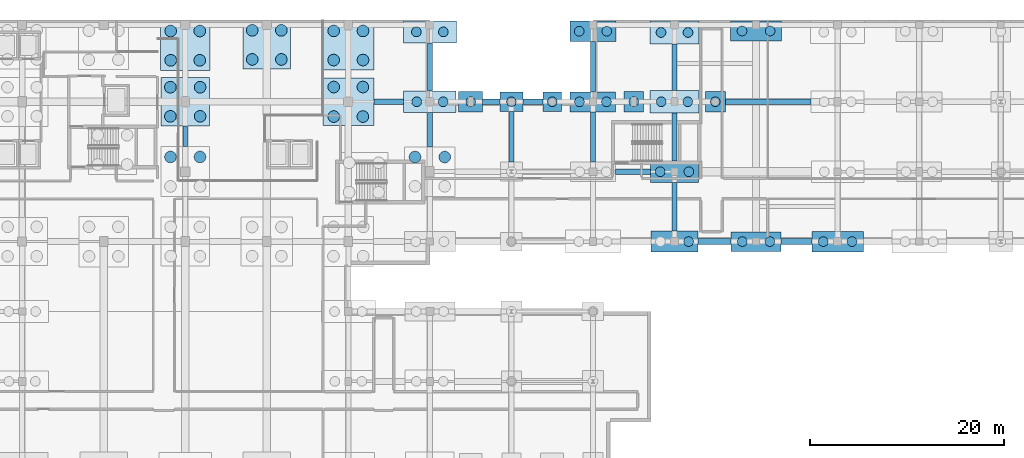
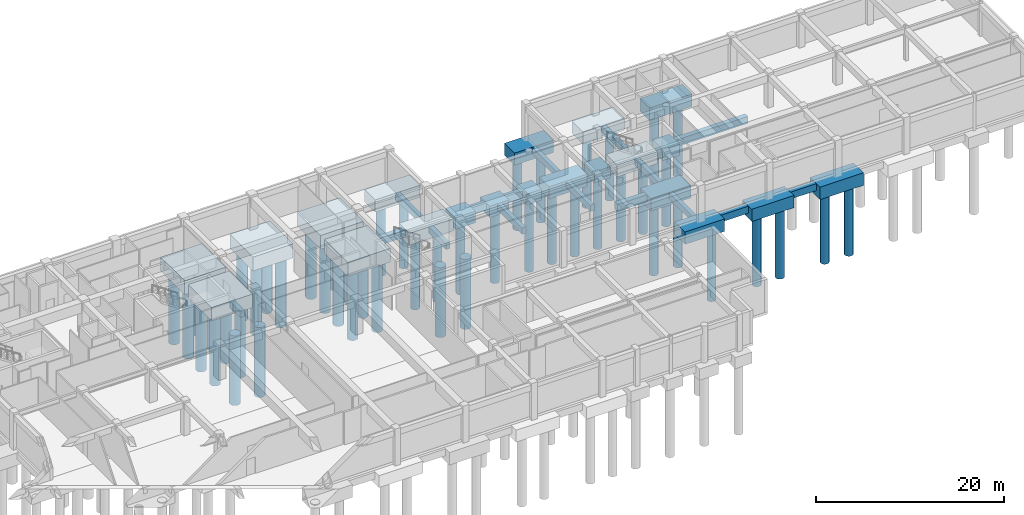
# One storey, part 7 of 42: 50 piles, 37 footings.
"""IFC4 building model written with IfcOpenShell, lengths in metres."""

from ifc_helpers import new_model, si_unit, direction, frame, origin, origin_2d, place, context, subcontext, project, spatial, rectangle, circle, extrude, material, material_profile, profile_set, type_object, element, save


model = new_model("IFC4")

# Units and contexts
model_context = context("Model", 3, precision=1e-05, world=origin(), true_north=direction((0.0, 1.0)))
body_context = subcontext(model_context, "Body", "Model", "MODEL_VIEW")
ifc_project = project(units=[si_unit("LENGTHUNIT", "METRE"), si_unit("AREAUNIT", "SQUARE_METRE"), si_unit("VOLUMEUNIT", "CUBIC_METRE"), si_unit("PLANEANGLEUNIT", "RADIAN"), si_unit("MASSUNIT", "GRAM", prefix="KILO")], contexts=[model_context])

# Site, building, storey
site_placement = place(None, origin())
site = spatial("IfcSite", under=ifc_project, at=site_placement, CompositionType="ELEMENT")
building_placement = place(site_placement, origin())
building = spatial("IfcBuilding", under=site, at=building_placement, Name="Quendrovan Civic Courthouse", CompositionType="ELEMENT")
storey_placement = place(building_placement, frame((0.0, 0.0, -4.5)))
storey = spatial("IfcBuildingStorey", under=building, at=storey_placement, Name="B1", CompositionType="ELEMENT", Elevation=-4.5)

# Footings
ifc_material = material(Name="Concrete C35/45", Category="concrete")
footing_type_1 = type_object("IfcFootingType", Name="FTG-PC1-190x202x140", PredefinedType="PILE_CAP", material=ifc_material)
footing_1_placement = place(storey_placement, frame((105.0, 102.0, -1.699951171875), z_axis=(0.0, 0.0, 1.0), x_axis=(1.0, 0.0, 0.0)))
element("IfcFooting", 1, at=footing_1_placement, inside=storey, type_object=footing_type_1, Name="Pile Cap PC1-01 at PIL-N4", PredefinedType="PILE_CAP", context=body_context, shape_type="SweptSolid", body=[
    extrude(rectangle(XDim=1.89990234375, YDim=2.02001953125, at=origin_2d()), origin(), (0.0, 0.0, 1.0), 1.39990234375),
])
footing_type_2 = type_object("IfcFootingType", Name="FTG-PC1-198x208x143", PredefinedType="PILE_CAP", material=ifc_material)
footing_2_placement = place(storey_placement, frame((113.39990234375, 102.0, -1.72998046875), z_axis=(0.0, 0.0, 1.0), x_axis=(1.0, 0.0, 0.0)))
element("IfcFooting", 2, at=footing_2_placement, inside=storey, type_object=footing_type_2, Name="Pile Cap PC1-02 at PIL-N5", PredefinedType="PILE_CAP", context=body_context, shape_type="SweptSolid", body=[
    extrude(rectangle(XDim=1.97998046875, YDim=2.080078125, at=origin_2d()), origin(), (0.0, 0.0, 1.0), 1.429931640625),
])
footing_type_3 = type_object("IfcFootingType", Name="FTG-PC1-206x214x146", PredefinedType="PILE_CAP", material=ifc_material)
footing_3_placement = place(storey_placement, frame((121.800048828125, 102.0, -1.760009765625), z_axis=(0.0, 0.0, 1.0), x_axis=(1.0, 0.0, 0.0)))
element("IfcFooting", 3, at=footing_3_placement, inside=storey, type_object=footing_type_3, Name="Pile Cap PC1-03 at PIL-N6", PredefinedType="PILE_CAP", context=body_context, shape_type="SweptSolid", body=[
    extrude(rectangle(XDim=2.06005859375, YDim=2.139892578125, at=origin_2d()), origin(), (0.0, 0.0, 1.0), 1.4599609375),
])
footing_type_4 = type_object("IfcFootingType", Name="FTG-PC1-238x202x146", PredefinedType="PILE_CAP", material=ifc_material)
footing_4_placement = place(storey_placement, frame((100.800048828125, 102.0, -1.760009765625), z_axis=(0.0, 0.0, 1.0), x_axis=(1.0, 0.0, 0.0)))
element("IfcFooting", 4, at=footing_4_placement, inside=storey, type_object=footing_type_4, Name="Pile Cap PC1-07 at 13-P", PredefinedType="PILE_CAP", context=body_context, shape_type="SweptSolid", body=[
    extrude(rectangle(XDim=2.3798828125, YDim=2.02001953125, at=origin_2d()), origin(), (0.0, 0.0, 1.0), 1.4599609375),
])
footing_type_5 = type_object("IfcFootingType", Name="FTG-PC1-246x208x149", PredefinedType="PILE_CAP", material=ifc_material)
footing_5_placement = place(storey_placement, frame((96.60009765625, 102.0, -1.7900390625), z_axis=(0.0, 0.0, 1.0), x_axis=(1.0, 0.0, 0.0)))
element("IfcFooting", 5, at=footing_5_placement, inside=storey, type_object=footing_type_5, Name="Pile Cap PC1-08 at PIL-N3", PredefinedType="PILE_CAP", context=body_context, shape_type="SweptSolid", body=[
    extrude(rectangle(XDim=2.4599609375, YDim=2.080078125, at=origin_2d()), origin(), (0.0, 0.0, 1.0), 1.489990234375),
])
footing_type_6 = type_object("IfcFootingType", Name="FTG-PC2-468x206x157", PredefinedType="PILE_CAP", material=ifc_material)
footing_6_placement = place(storey_placement, frame((109.199951171875, 102.0, -1.8701171875), z_axis=(0.0, 0.0, 1.0), x_axis=(1.0, 0.0, 0.0)))
element("IfcFooting", 6, at=footing_6_placement, inside=storey, type_object=footing_type_6, Name="Pile Cap PC2-02 at 14-P", PredefinedType="PILE_CAP", context=body_context, shape_type="SweptSolid", body=[
    extrude(rectangle(XDim=4.679931640625, YDim=2.06005859375, at=origin_2d()), origin(), (0.0, 0.0, 1.0), 1.570068359375),
])
footing_type_7 = type_object("IfcFootingType", Name="FTG-PC2-476x212x159", PredefinedType="PILE_CAP", material=ifc_material)
footing_7_placement = place(storey_placement, frame((109.199951171875, 109.260009765625, -1.89013671875), z_axis=(0.0, 0.0, 1.0), x_axis=(1.0, 0.0, 0.0)))
element("IfcFooting", 7, at=footing_7_placement, inside=storey, type_object=footing_type_7, Name="Pile Cap PC2-03 at 14-Q", PredefinedType="PILE_CAP", context=body_context, shape_type="SweptSolid", body=[
    extrude(rectangle(XDim=4.760009765625, YDim=2.1201171875, at=origin_2d()), origin(), (0.0, 0.0, 1.0), 1.590087890625),
])
footing_type_8 = type_object("IfcFootingType", Name="FTG-PC2-484x218x161", PredefinedType="PILE_CAP", material=ifc_material)
footing_8_placement = place(storey_placement, frame((117.60009765625, 87.60009765625, -1.91015625), z_axis=(0.0, 0.0, 1.0), x_axis=(1.0, 0.0, 0.0)))
element("IfcFooting", 8, at=footing_8_placement, inside=storey, type_object=footing_type_8, Name="Pile Cap PC2-04 at 15-M", PredefinedType="PILE_CAP", context=body_context, shape_type="SweptSolid", body=[
    extrude(rectangle(XDim=4.840087890625, YDim=2.179931640625, at=origin_2d()), origin(), (0.0, 0.0, 1.0), 1.610107421875),
])
footing_type_9 = type_object("IfcFootingType", Name="FTG-PC2-492x224x163", PredefinedType="PILE_CAP", material=ifc_material)
footing_9_placement = place(storey_placement, frame((117.60009765625, 94.800048828125, -1.929931640625), z_axis=(0.0, 0.0, 1.0), x_axis=(1.0, 0.0, 0.0)))
element("IfcFooting", 9, at=footing_9_placement, inside=storey, type_object=footing_type_9, Name="Pile Cap PC2-05 at 15-N", PredefinedType="PILE_CAP", context=body_context, shape_type="SweptSolid", body=[
    extrude(rectangle(XDim=4.919921875, YDim=2.239990234375, at=origin_2d()), origin(), (0.0, 0.0, 1.0), 1.6298828125),
])
footing_type_10 = type_object("IfcFootingType", Name="FTG-PC2-500x229x155", PredefinedType="PILE_CAP", material=ifc_material)
footing_10_placement = place(storey_placement, frame((117.60009765625, 102.0, -1.85009765625), z_axis=(0.0, 0.0, 1.0), x_axis=(1.0, 0.0, 0.0)))
element("IfcFooting", 10, at=footing_10_placement, inside=storey, type_object=footing_type_10, Name="Pile Cap PC2-06 at 15-P", PredefinedType="PILE_CAP", context=body_context, shape_type="SweptSolid", body=[
    extrude(rectangle(XDim=5.0, YDim=2.300048828125, at=origin_2d()), origin(), (0.0, 0.0, 1.0), 1.550048828125),
])
footing_type_11 = type_object("IfcFootingType", Name="FTG-PC2-508x236x157", PredefinedType="PILE_CAP", material=ifc_material)
footing_11_placement = place(storey_placement, frame((117.60009765625, 109.139892578125, -1.8701171875), z_axis=(0.0, 0.0, 1.0), x_axis=(1.0, 0.0, 0.0)))
element("IfcFooting", 11, at=footing_11_placement, inside=storey, type_object=footing_type_11, Name="Pile Cap PC2-07 at 15-Q", PredefinedType="PILE_CAP", context=body_context, shape_type="SweptSolid", body=[
    extrude(rectangle(XDim=5.080078125, YDim=2.360107421875, at=origin_2d()), origin(), (0.0, 0.0, 1.0), 1.570068359375),
])
footing_type_12 = type_object("IfcFootingType", Name="FTG-PC2-516x200x159", PredefinedType="PILE_CAP", material=ifc_material)
footing_12_placement = place(storey_placement, frame((126.0, 87.60009765625, -1.89013671875), z_axis=(0.0, 0.0, 1.0), x_axis=(1.0, 0.0, 0.0)))
element("IfcFooting", 12, at=footing_12_placement, inside=storey, type_object=footing_type_12, Name="Pile Cap PC2-08 at 16-M", PredefinedType="PILE_CAP", context=body_context, shape_type="SweptSolid", body=[
    extrude(rectangle(XDim=5.159912109375, YDim=2.0, at=origin_2d()), origin(), (0.0, 0.0, 1.0), 1.590087890625),
])
footing_type_13 = type_object("IfcFootingType", Name="FTG-PC2-524x206x161", PredefinedType="PILE_CAP", material=ifc_material)
footing_13_placement = place(storey_placement, frame((126.0, 109.2900390625, -1.91015625), z_axis=(0.0, 0.0, 1.0), x_axis=(1.0, 0.0, 0.0)))
element("IfcFooting", 13, at=footing_13_placement, inside=storey, type_object=footing_type_13, Name="Pile Cap PC2-09 at 16-Q", PredefinedType="PILE_CAP", context=body_context, shape_type="SweptSolid", body=[
    extrude(rectangle(XDim=5.239990234375, YDim=2.06005859375, at=origin_2d()), origin(), (0.0, 0.0, 1.0), 1.610107421875),
])
footing_type_14 = type_object("IfcFootingType", Name="FTG-PC2-532x212x163", PredefinedType="PILE_CAP", material=ifc_material)
footing_14_placement = place(storey_placement, frame((134.39990234375, 87.60009765625, -1.929931640625), z_axis=(0.0, 0.0, 1.0), x_axis=(1.0, 0.0, 0.0)))
element("IfcFooting", 14, at=footing_14_placement, inside=storey, type_object=footing_type_14, Name="Pile Cap PC2-10 at 17-M", PredefinedType="PILE_CAP", context=body_context, shape_type="SweptSolid", body=[
    extrude(rectangle(XDim=5.320068359375, YDim=2.1201171875, at=origin_2d()), origin(), (0.0, 0.0, 1.0), 1.6298828125),
])
footing_type_15 = type_object("IfcFootingType", Name="FTG-PC2-540x218x155", PredefinedType="PILE_CAP", material=ifc_material)
footing_15_placement = place(storey_placement, frame((92.39990234375, 102.0, -1.85009765625), z_axis=(0.0, 0.0, 1.0), x_axis=(1.0, 0.0, 0.0)))
element("IfcFooting", 15, at=footing_15_placement, inside=storey, type_object=footing_type_15, Name="Pile Cap PC2-11 at 12-P", PredefinedType="PILE_CAP", context=body_context, shape_type="SweptSolid", body=[
    extrude(rectangle(XDim=5.39990234375, YDim=2.179931640625, at=origin_2d()), origin(), (0.0, 0.0, 1.0), 1.550048828125),
])
footing_type_16 = type_object("IfcFootingType", Name="FTG-PC2-548x224x157", PredefinedType="PILE_CAP", material=ifc_material)
footing_16_placement = place(storey_placement, frame((92.39990234375, 109.199951171875, -1.8701171875), z_axis=(0.0, 0.0, 1.0), x_axis=(1.0, 0.0, 0.0)))
element("IfcFooting", 16, at=footing_16_placement, inside=storey, type_object=footing_type_16, Name="Pile Cap PC2-12 at 12-Q", PredefinedType="PILE_CAP", context=body_context, shape_type="SweptSolid", body=[
    extrude(rectangle(XDim=5.47998046875, YDim=2.239990234375, at=origin_2d()), origin(), (0.0, 0.0, 1.0), 1.570068359375),
])
footing_type_17 = type_object("IfcFootingType", Name="FTG-PC4-492x492x180", PredefinedType="PILE_CAP", material=ifc_material)
footing_17_placement = place(storey_placement, frame((75.60009765625, 107.860107421875, -2.10009765625), z_axis=(0.0, 0.0, 1.0), x_axis=(1.0, 0.0, 0.0)))
element("IfcFooting", 17, at=footing_17_placement, inside=storey, type_object=footing_type_17, Name="Pile Cap PC4-01 at 10-Q", PredefinedType="PILE_CAP", context=body_context, shape_type="SweptSolid", body=[
    extrude(rectangle(XDim=4.919921875, YDim=4.919921875, at=origin_2d()), origin(), (0.0, 0.0, 1.0), 1.800048828125),
])
footing_type_18 = type_object("IfcFootingType", Name="FTG-PC4-504x496x174", PredefinedType="PILE_CAP", material=ifc_material)
footing_18_placement = place(storey_placement, frame((67.199951171875, 102.0, -2.0400390625), z_axis=(0.0, 0.0, 1.0), x_axis=(1.0, 0.0, 0.0)))
element("IfcFooting", 18, at=footing_18_placement, inside=storey, type_object=footing_type_18, Name="Pile Cap PC4-04 at 9-P", PredefinedType="PILE_CAP", context=body_context, shape_type="SweptSolid", body=[
    extrude(rectangle(XDim=5.0400390625, YDim=4.9599609375, at=origin_2d()), origin(), (0.0, 0.0, 1.0), 1.739990234375),
])
footing_type_19 = type_object("IfcFootingType", Name="FTG-PC4-508x508x180", PredefinedType="PILE_CAP", material=ifc_material)
footing_19_placement = place(storey_placement, frame((67.199951171875, 107.780029296875, -2.10009765625), z_axis=(0.0, 0.0, 1.0), x_axis=(1.0, 0.0, 0.0)))
element("IfcFooting", 19, at=footing_19_placement, inside=storey, type_object=footing_type_19, Name="Pile Cap PC4-05 at 9-Q", PredefinedType="PILE_CAP", context=body_context, shape_type="SweptSolid", body=[
    extrude(rectangle(XDim=5.080078125, YDim=5.080078125, at=origin_2d()), origin(), (0.0, 0.0, 1.0), 1.800048828125),
])
footing_type_20 = type_object("IfcFootingType", Name="FTG-PC4-524x492x180", PredefinedType="PILE_CAP", material=ifc_material)
footing_20_placement = place(storey_placement, frame((84.0, 102.0, -2.10009765625), z_axis=(0.0, 0.0, 1.0), x_axis=(1.0, 0.0, 0.0)))
element("IfcFooting", 20, at=footing_20_placement, inside=storey, type_object=footing_type_20, Name="Pile Cap PC4-09 at 11-P", PredefinedType="PILE_CAP", context=body_context, shape_type="SweptSolid", body=[
    extrude(rectangle(XDim=5.239990234375, YDim=4.919921875, at=origin_2d()), origin(), (0.0, 0.0, 1.0), 1.800048828125),
])
footing_type_21 = type_object("IfcFootingType", Name="FTG-PC4-528x504x178", PredefinedType="PILE_CAP", material=ifc_material)
footing_21_placement = place(storey_placement, frame((84.0, 107.800048828125, -2.080078125), z_axis=(0.0, 0.0, 1.0), x_axis=(1.0, 0.0, 0.0)))
element("IfcFooting", 21, at=footing_21_placement, inside=storey, type_object=footing_type_21, Name="Pile Cap PC4-10 at 11-Q", PredefinedType="PILE_CAP", context=body_context, shape_type="SweptSolid", body=[
    extrude(rectangle(XDim=5.280029296875, YDim=5.0400390625, at=origin_2d()), origin(), (0.0, 0.0, 1.0), 1.780029296875),
])
footing_type_22 = type_object("IfcFootingType", Name="FTG-TBX-1800", PredefinedType="FOOTING_BEAM", material=ifc_material)
footing_22_placement = place(storey_placement, frame((98.719970703125, 102.0, -1.199951171875), z_axis=(0.0, 0.0, 1.0), x_axis=(1.0, 0.0, 0.0)))
element("IfcFooting", 22, at=footing_22_placement, inside=storey, type_object=footing_type_22, Name="Seismic Tie Beam TB-X-084", PredefinedType="FOOTING_BEAM", context=body_context, shape_type="SweptSolid", body=[
    extrude(rectangle(XDim=1.780029296875, YDim=0.60009765625, at=origin_2d()), origin(), (0.0, 0.0, 1.0), 0.89990234375),
])
footing_type_23 = type_object("IfcFootingType", Name="FTG-TBX-2000", PredefinedType="FOOTING_BEAM", material=ifc_material)
footing_23_placement = place(storey_placement, frame((103.02001953125, 102.0, -1.199951171875), z_axis=(0.0, 0.0, 1.0), x_axis=(1.0, 0.0, 0.0)))
element("IfcFooting", 23, at=footing_23_placement, inside=storey, type_object=footing_type_23, Name="Seismic Tie Beam TB-X-085", PredefinedType="FOOTING_BEAM", context=body_context, shape_type="SweptSolid", body=[
    extrude(rectangle(XDim=2.06005859375, YDim=0.60009765625, at=origin_2d()), origin(), (0.0, 0.0, 1.0), 0.89990234375),
])
footing_type_24 = type_object("IfcFootingType", Name="FTG-TBX-3000", PredefinedType="FOOTING_BEAM", material=ifc_material)
footing_24_placement = place(storey_placement, frame((88.159912109375, 102.0, -1.199951171875), z_axis=(0.0, 0.0, 1.0), x_axis=(1.0, 0.0, 0.0)))
element("IfcFooting", 24, at=footing_24_placement, inside=storey, type_object=footing_type_24, Name="Seismic Tie Beam TB-X-083", PredefinedType="FOOTING_BEAM", context=body_context, shape_type="SweptSolid", body=[
    extrude(rectangle(XDim=3.080078125, YDim=0.60009765625, at=origin_2d()), origin(), (0.0, 0.0, 1.0), 0.89990234375),
])
footing_type_25 = type_object("IfcFootingType", Name="FTG-TBX-3200", PredefinedType="FOOTING_BEAM", material=ifc_material)
footing_25_placement = place(storey_placement, frame((130.159912109375, 87.60009765625, -1.199951171875), z_axis=(0.0, 0.0, 1.0), x_axis=(1.0, 0.0, 0.0)))
element("IfcFooting", 25, at=footing_25_placement, inside=storey, type_object=footing_type_25, Name="Seismic Tie Beam TB-X-070", PredefinedType="FOOTING_BEAM", context=body_context, shape_type="SweptSolid", body=[
    extrude(rectangle(XDim=3.159912109375, YDim=0.60009765625, at=origin_2d()), origin(), (0.0, 0.0, 1.0), 0.89990234375),
])
footing_type_26 = type_object("IfcFootingType", Name="FTG-TBX-3400", PredefinedType="FOOTING_BEAM", material=ifc_material)
footing_26_placement = place(storey_placement, frame((121.719970703125, 87.60009765625, -1.199951171875), z_axis=(0.0, 0.0, 1.0), x_axis=(1.0, 0.0, 0.0)))
element("IfcFooting", 26, at=footing_26_placement, inside=storey, type_object=footing_type_26, Name="Seismic Tie Beam TB-X-069", PredefinedType="FOOTING_BEAM", context=body_context, shape_type="SweptSolid", body=[
    extrude(rectangle(XDim=3.39990234375, YDim=0.60009765625, at=origin_2d()), origin(), (0.0, 0.0, 1.0), 0.89990234375),
])
footing_type_27 = type_object("IfcFootingType", Name="FTG-TBX-3600", PredefinedType="FOOTING_BEAM", material=ifc_material)
footing_27_placement = place(storey_placement, frame((113.320068359375, 94.800048828125, -1.199951171875), z_axis=(0.0, 0.0, 1.0), x_axis=(1.0, 0.0, 0.0)))
element("IfcFooting", 27, at=footing_27_placement, inside=storey, type_object=footing_type_27, Name="Seismic Tie Beam TB-X-077", PredefinedType="FOOTING_BEAM", context=body_context, shape_type="SweptSolid", body=[
    extrude(rectangle(XDim=3.639892578125, YDim=0.60009765625, at=origin_2d()), origin(), (0.0, 0.0, 1.0), 0.89990234375),
])
footing_type_28 = type_object("IfcFootingType", Name="FTG-TBX-8800", PredefinedType="FOOTING_BEAM", material=ifc_material)
footing_28_placement = place(storey_placement, frame((127.2451171875, 102.0, -1.199951171875), z_axis=(0.0, 0.0, 1.0), x_axis=(1.0, 0.0, 0.0)))
element("IfcFooting", 28, at=footing_28_placement, inside=storey, type_object=footing_type_28, Name="Seismic Tie Beam TB-X-086", PredefinedType="FOOTING_BEAM", context=body_context, shape_type="SweptSolid", body=[
    extrude(rectangle(XDim=8.830078125, YDim=0.60009765625, at=origin_2d()), origin(), (0.0, 0.0, 1.0), 0.89990234375),
])
footing_type_29 = type_object("IfcFootingType", Name="FTG-TBY-2200", PredefinedType="FOOTING_BEAM", material=ifc_material)
footing_29_placement = place(storey_placement, frame((67.199951171875, 98.449951171875, -1.10009765625), z_axis=(0.0, 0.0, 1.0), x_axis=(1.0, 0.0, 0.0)))
element("IfcFooting", 29, at=footing_29_placement, inside=storey, type_object=footing_type_29, Name="Seismic Tie Beam TB-Y-136", PredefinedType="FOOTING_BEAM", context=body_context, shape_type="SweptSolid", body=[
    extrude(rectangle(XDim=0.5, YDim=2.139892578125, at=origin_2d()), origin(), (0.0, 0.0, 1.0), 0.800048828125),
])
footing_type_30 = type_object("IfcFootingType", Name="FTG-TBY-3600", PredefinedType="FOOTING_BEAM", material=ifc_material)
footing_30_placement = place(storey_placement, frame((92.39990234375, 99.135009765625, -1.10009765625), z_axis=(0.0, 0.0, 1.0), x_axis=(1.0, 0.0, 0.0)))
element("IfcFooting", 30, at=footing_30_placement, inside=storey, type_object=footing_type_30, Name="Seismic Tie Beam TB-Y-149", PredefinedType="FOOTING_BEAM", context=body_context, shape_type="SweptSolid", body=[
    extrude(rectangle(XDim=0.5, YDim=3.550048828125, at=origin_2d()), origin(), (0.0, 0.0, 1.0), 0.800048828125),
])
footing_type_31 = type_object("IfcFootingType", Name="FTG-TBY-4800", PredefinedType="FOOTING_BEAM", material=ifc_material)
footing_31_placement = place(storey_placement, frame((117.60009765625, 105.554931640625, -1.10009765625), z_axis=(0.0, 0.0, 1.0), x_axis=(1.0, 0.0, 0.0)))
element("IfcFooting", 31, at=footing_31_placement, inside=storey, type_object=footing_type_31, Name="Seismic Tie Beam TB-Y-166", PredefinedType="FOOTING_BEAM", context=body_context, shape_type="SweptSolid", body=[
    extrude(rectangle(XDim=0.5, YDim=4.81005859375, at=origin_2d()), origin(), (0.0, 0.0, 1.0), 0.800048828125),
])
footing_type_32 = type_object("IfcFootingType", Name="FTG-TBY-5000", PredefinedType="FOOTING_BEAM", material=ifc_material)
for number, where, z_axis, x_axis, name in (
    (32, (92.39990234375, 105.5849609375, -1.10009765625), (0.0, 0.0, 1.0), (1.0, 0.0, 0.0), "Seismic Tie Beam TB-Y-150"),
    (33, (117.60009765625, 91.18505859375, -1.10009765625), (0.0, 0.0, 1.0), (1.0, 0.0, 0.0), "Seismic Tie Beam TB-Y-164"),
):
    element("IfcFooting", number, at=place(storey_placement, frame(where, z_axis=z_axis, x_axis=x_axis)), inside=storey, type_object=footing_type_32, Name=name, PredefinedType="FOOTING_BEAM", context=body_context, shape_type="SweptSolid", body=[
        extrude(rectangle(XDim=0.5, YDim=4.989990234375, at=origin_2d()), origin(), (0.0, 0.0, 1.0), 0.800048828125),
    ])
footing_32_placement = place(storey_placement, frame((117.60009765625, 98.385009765625, -1.10009765625), z_axis=(0.0, 0.0, 1.0), x_axis=(1.0, 0.0, 0.0)))
element("IfcFooting", 34, at=footing_32_placement, inside=storey, type_object=footing_type_32, Name="Seismic Tie Beam TB-Y-165", PredefinedType="FOOTING_BEAM", context=body_context, shape_type="SweptSolid", body=[
    extrude(rectangle(XDim=0.5, YDim=4.929931640625, at=origin_2d()), origin(), (0.0, 0.0, 1.0), 0.800048828125),
])
footing_type_33 = type_object("IfcFootingType", Name="FTG-TBY-5200", PredefinedType="FOOTING_BEAM", material=ifc_material)
footing_33_placement = place(storey_placement, frame((100.800048828125, 98.385009765625, -1.10009765625), z_axis=(0.0, 0.0, 1.0), x_axis=(1.0, 0.0, 0.0)))
element("IfcFooting", 35, at=footing_33_placement, inside=storey, type_object=footing_type_33, Name="Seismic Tie Beam TB-Y-156", PredefinedType="FOOTING_BEAM", context=body_context, shape_type="SweptSolid", body=[
    extrude(rectangle(XDim=0.5, YDim=5.2099609375, at=origin_2d()), origin(), (0.0, 0.0, 1.0), 0.800048828125),
])
for number, where, z_axis, x_axis, name in (
    (36, (109.199951171875, 98.385009765625, -1.10009765625), (0.0, 0.0, 1.0), (1.0, 0.0, 0.0), "Seismic Tie Beam TB-Y-162"),
    (37, (109.199951171875, 105.614990234375, -1.10009765625), (0.0, 0.0, 1.0), (1.0, 0.0, 0.0), "Seismic Tie Beam TB-Y-163"),
):
    element("IfcFooting", number, at=place(storey_placement, frame(where, z_axis=z_axis, x_axis=x_axis)), inside=storey, type_object=footing_type_33, Name=name, PredefinedType="FOOTING_BEAM", context=body_context, shape_type="SweptSolid", body=[
        extrude(rectangle(XDim=0.5, YDim=5.169921875, at=origin_2d()), origin(), (0.0, 0.0, 1.0), 0.800048828125),
    ])

# Piles
ifc_material_profile_1 = material_profile(ifc_material, circle(Radius=0.5, at=origin_2d()), Name="PILE-D1000")
ifc_profile_set_1 = profile_set([ifc_material_profile_1], Name="Concrete C35/45")
pile_type_1 = type_object("IfcPileType", Name="PILE-B1000", PredefinedType="BORED", material=ifc_profile_set_1)
for number, where, z_axis, x_axis, name in (
    (38, (91.0400390625, 102.0, -1.75), (0.0, 0.0, -1.0), (1.0, 0.0, 0.0), "Bored Pile PILE-12-P-1"),
    (39, (93.760009765625, 102.0, -1.75), (0.0, 0.0, -1.0), (1.0, 0.0, 0.0), "Bored Pile PILE-12-P-2"),
):
    element("IfcPile", number, at=place(storey_placement, frame(where, z_axis=z_axis, x_axis=x_axis)), inside=storey, type_object=pile_type_1, Name=name, PredefinedType="BORED", context=body_context, shape_type="SweptSolid", body=[
        extrude(circle(Radius=0.5, at=origin_2d()), origin(), (0.0, 0.0, 1.0), 9.25),
    ])
for number, where, z_axis, x_axis, name in (
    (40, (91.010009765625, 109.199951171875, -1.77001953125), (0.0, 0.0, -1.0), (1.0, 0.0, 0.0), "Bored Pile PILE-12-Q-1"),
    (41, (93.7900390625, 109.199951171875, -1.77001953125), (0.0, 0.0, -1.0), (1.0, 0.0, 0.0), "Bored Pile PILE-12-Q-2"),
):
    element("IfcPile", number, at=place(storey_placement, frame(where, z_axis=z_axis, x_axis=x_axis)), inside=storey, type_object=pile_type_1, Name=name, PredefinedType="BORED", context=body_context, shape_type="SweptSolid", body=[
        extrude(circle(Radius=0.5, at=origin_2d()), origin(), (0.0, 0.0, 1.0), 9.22998046875),
    ])
pile_1_placement = place(storey_placement, frame((100.800048828125, 102.0, -1.659912109375), z_axis=(0.0, 0.0, -1.0), x_axis=(1.0, 0.0, 0.0)))
element("IfcPile", 42, at=pile_1_placement, inside=storey, type_object=pile_type_1, Name="Bored Pile PILE-13-P-1", PredefinedType="BORED", context=body_context, shape_type="SweptSolid", body=[
    extrude(circle(Radius=0.5, at=origin_2d()), origin(), (0.0, 0.0, 1.0), 9.340087890625),
])
for number, where, z_axis, x_axis, name in (
    (43, (107.81005859375, 102.0, -1.77001953125), (0.0, 0.0, -1.0), (1.0, 0.0, 0.0), "Bored Pile PILE-14-P-1"),
    (44, (110.590087890625, 102.0, -1.77001953125), (0.0, 0.0, -1.0), (1.0, 0.0, 0.0), "Bored Pile PILE-14-P-2"),
):
    element("IfcPile", number, at=place(storey_placement, frame(where, z_axis=z_axis, x_axis=x_axis)), inside=storey, type_object=pile_type_1, Name=name, PredefinedType="BORED", context=body_context, shape_type="SweptSolid", body=[
        extrude(circle(Radius=0.5, at=origin_2d()), origin(), (0.0, 0.0, 1.0), 9.22998046875),
    ])
for number, where, z_axis, x_axis, name in (
    (45, (107.780029296875, 109.260009765625, -1.7900390625), (0.0, 0.0, -1.0), (1.0, 0.0, 0.0), "Bored Pile PILE-14-Q-1"),
    (46, (110.6201171875, 109.260009765625, -1.7900390625), (0.0, 0.0, -1.0), (1.0, 0.0, 0.0), "Bored Pile PILE-14-Q-2"),
):
    element("IfcPile", number, at=place(storey_placement, frame(where, z_axis=z_axis, x_axis=x_axis)), inside=storey, type_object=pile_type_1, Name=name, PredefinedType="BORED", context=body_context, shape_type="SweptSolid", body=[
        extrude(circle(Radius=0.5, at=origin_2d()), origin(), (0.0, 0.0, 1.0), 9.2099609375),
    ])
pile_2_placement = place(storey_placement, frame((119.050048828125, 87.60009765625, -1.81005859375), z_axis=(0.0, 0.0, -1.0), x_axis=(1.0, 0.0, 0.0)))
element("IfcPile", 47, at=pile_2_placement, inside=storey, type_object=pile_type_1, Name="Bored Pile PILE-15-M-2", PredefinedType="BORED", context=body_context, shape_type="SweptSolid", body=[
    extrude(circle(Radius=0.5, at=origin_2d()), origin(), (0.0, 0.0, 1.0), 9.18994140625),
])
for number, where, z_axis, x_axis, name in (
    (48, (116.1201171875, 94.800048828125, -1.830078125), (0.0, 0.0, -1.0), (1.0, 0.0, 0.0), "Bored Pile PILE-15-N-1"),
    (49, (119.080078125, 94.800048828125, -1.830078125), (0.0, 0.0, -1.0), (1.0, 0.0, 0.0), "Bored Pile PILE-15-N-2"),
):
    element("IfcPile", number, at=place(storey_placement, frame(where, z_axis=z_axis, x_axis=x_axis)), inside=storey, type_object=pile_type_1, Name=name, PredefinedType="BORED", context=body_context, shape_type="SweptSolid", body=[
        extrude(circle(Radius=0.5, at=origin_2d()), origin(), (0.0, 0.0, 1.0), 9.169921875),
    ])
for number, where, z_axis, x_axis, name in (
    (50, (116.239990234375, 102.0, -1.75), (0.0, 0.0, -1.0), (1.0, 0.0, 0.0), "Bored Pile PILE-15-P-1"),
    (51, (118.9599609375, 102.0, -1.75), (0.0, 0.0, -1.0), (1.0, 0.0, 0.0), "Bored Pile PILE-15-P-2"),
):
    element("IfcPile", number, at=place(storey_placement, frame(where, z_axis=z_axis, x_axis=x_axis)), inside=storey, type_object=pile_type_1, Name=name, PredefinedType="BORED", context=body_context, shape_type="SweptSolid", body=[
        extrude(circle(Radius=0.5, at=origin_2d()), origin(), (0.0, 0.0, 1.0), 9.25),
    ])
for number, where, z_axis, x_axis, name in (
    (52, (116.2099609375, 109.139892578125, -1.77001953125), (0.0, 0.0, -1.0), (1.0, 0.0, 0.0), "Bored Pile PILE-15-Q-1"),
    (53, (118.989990234375, 109.139892578125, -1.77001953125), (0.0, 0.0, -1.0), (1.0, 0.0, 0.0), "Bored Pile PILE-15-Q-2"),
):
    element("IfcPile", number, at=place(storey_placement, frame(where, z_axis=z_axis, x_axis=x_axis)), inside=storey, type_object=pile_type_1, Name=name, PredefinedType="BORED", context=body_context, shape_type="SweptSolid", body=[
        extrude(circle(Radius=0.5, at=origin_2d()), origin(), (0.0, 0.0, 1.0), 9.22998046875),
    ])
for number, where, z_axis, x_axis, name in (
    (54, (124.580078125, 87.60009765625, -1.7900390625), (0.0, 0.0, -1.0), (1.0, 0.0, 0.0), "Bored Pile PILE-16-M-1"),
    (55, (127.419921875, 87.60009765625, -1.7900390625), (0.0, 0.0, -1.0), (1.0, 0.0, 0.0), "Bored Pile PILE-16-M-2"),
):
    element("IfcPile", number, at=place(storey_placement, frame(where, z_axis=z_axis, x_axis=x_axis)), inside=storey, type_object=pile_type_1, Name=name, PredefinedType="BORED", context=body_context, shape_type="SweptSolid", body=[
        extrude(circle(Radius=0.5, at=origin_2d()), origin(), (0.0, 0.0, 1.0), 9.2099609375),
    ])
for number, where, z_axis, x_axis, name in (
    (56, (124.550048828125, 109.2900390625, -1.81005859375), (0.0, 0.0, -1.0), (1.0, 0.0, 0.0), "Bored Pile PILE-16-Q-1"),
    (57, (127.449951171875, 109.2900390625, -1.81005859375), (0.0, 0.0, -1.0), (1.0, 0.0, 0.0), "Bored Pile PILE-16-Q-2"),
):
    element("IfcPile", number, at=place(storey_placement, frame(where, z_axis=z_axis, x_axis=x_axis)), inside=storey, type_object=pile_type_1, Name=name, PredefinedType="BORED", context=body_context, shape_type="SweptSolid", body=[
        extrude(circle(Radius=0.5, at=origin_2d()), origin(), (0.0, 0.0, 1.0), 9.18994140625),
    ])
for number, where, z_axis, x_axis, name in (
    (58, (132.919921875, 87.60009765625, -1.830078125), (0.0, 0.0, -1.0), (1.0, 0.0, 0.0), "Bored Pile PILE-17-M-1"),
    (59, (135.8798828125, 87.60009765625, -1.830078125), (0.0, 0.0, -1.0), (1.0, 0.0, 0.0), "Bored Pile PILE-17-M-2"),
):
    element("IfcPile", number, at=place(storey_placement, frame(where, z_axis=z_axis, x_axis=x_axis)), inside=storey, type_object=pile_type_1, Name=name, PredefinedType="BORED", context=body_context, shape_type="SweptSolid", body=[
        extrude(circle(Radius=0.5, at=origin_2d()), origin(), (0.0, 0.0, 1.0), 9.169921875),
    ])
pile_3_placement = place(storey_placement, frame((96.60009765625, 102.0, -1.68994140625), z_axis=(0.0, 0.0, -1.0), x_axis=(1.0, 0.0, 0.0)))
element("IfcPile", 60, at=pile_3_placement, inside=storey, type_object=pile_type_1, Name="Bored Pile PILE-PIL-N3-1", PredefinedType="BORED", context=body_context, shape_type="SweptSolid", body=[
    extrude(circle(Radius=0.5, at=origin_2d()), origin(), (0.0, 0.0, 1.0), 9.31005859375),
])
pile_4_placement = place(storey_placement, frame((105.0, 102.0, -1.60009765625), z_axis=(0.0, 0.0, -1.0), x_axis=(1.0, 0.0, 0.0)))
element("IfcPile", 61, at=pile_4_placement, inside=storey, type_object=pile_type_1, Name="Bored Pile PILE-PIL-N4-1", PredefinedType="BORED", context=body_context, shape_type="SweptSolid", body=[
    extrude(circle(Radius=0.5, at=origin_2d()), origin(), (0.0, 0.0, 1.0), 9.39990234375),
])
pile_5_placement = place(storey_placement, frame((113.39990234375, 102.0, -1.6298828125), z_axis=(0.0, 0.0, -1.0), x_axis=(1.0, 0.0, 0.0)))
element("IfcPile", 62, at=pile_5_placement, inside=storey, type_object=pile_type_1, Name="Bored Pile PILE-PIL-N5-1", PredefinedType="BORED", context=body_context, shape_type="SweptSolid", body=[
    extrude(circle(Radius=0.5, at=origin_2d()), origin(), (0.0, 0.0, 1.0), 9.3701171875),
])
pile_6_placement = place(storey_placement, frame((121.800048828125, 102.0, -1.659912109375), z_axis=(0.0, 0.0, -1.0), x_axis=(1.0, 0.0, 0.0)))
element("IfcPile", 63, at=pile_6_placement, inside=storey, type_object=pile_type_1, Name="Bored Pile PILE-PIL-N6-1", PredefinedType="BORED", context=body_context, shape_type="SweptSolid", body=[
    extrude(circle(Radius=0.5, at=origin_2d()), origin(), (0.0, 0.0, 1.0), 9.340087890625),
])
ifc_material_profile_2 = material_profile(ifc_material, circle(Radius=0.60009765625, at=origin_2d()), Name="PILE-D1200")
ifc_profile_set_2 = profile_set([ifc_material_profile_2], Name="Concrete C35/45")
pile_type_2 = type_object("IfcPileType", Name="PILE-B1200", PredefinedType="BORED", material=ifc_profile_set_2)
for number, where, z_axis, x_axis, name in (
    (64, (65.679931640625, 96.320068359375, -1.9599609375), (0.0, 0.0, -1.0), (1.0, 0.0, 0.0), "Bored Pile PILE-9-N-3"),
    (65, (68.719970703125, 96.320068359375, -1.9599609375), (0.0, 0.0, -1.0), (1.0, 0.0, 0.0), "Bored Pile PILE-9-N-4"),
):
    element("IfcPile", number, at=place(storey_placement, frame(where, z_axis=z_axis, x_axis=x_axis)), inside=storey, type_object=pile_type_2, Name=name, PredefinedType="BORED", context=body_context, shape_type="SweptSolid", body=[
        extrude(circle(Radius=0.60009765625, at=origin_2d()), origin(), (0.0, 0.0, 1.0), 9.0400390625),
    ])
for number, where, z_axis, x_axis, name in (
    (66, (65.669921875, 100.5, -1.93994140625), (0.0, 0.0, -1.0), (1.0, 0.0, 0.0), "Bored Pile PILE-9-P-1"),
    (67, (68.72998046875, 100.5, -1.93994140625), (0.0, 0.0, -1.0), (1.0, 0.0, 0.0), "Bored Pile PILE-9-P-2"),
    (68, (65.669921875, 103.5, -1.93994140625), (0.0, 0.0, -1.0), (1.0, 0.0, 0.0), "Bored Pile PILE-9-P-3"),
    (69, (68.72998046875, 103.5, -1.93994140625), (0.0, 0.0, -1.0), (1.0, 0.0, 0.0), "Bored Pile PILE-9-P-4"),
):
    element("IfcPile", number, at=place(storey_placement, frame(where, z_axis=z_axis, x_axis=x_axis)), inside=storey, type_object=pile_type_2, Name=name, PredefinedType="BORED", context=body_context, shape_type="SweptSolid", body=[
        extrude(circle(Radius=0.60009765625, at=origin_2d()), origin(), (0.0, 0.0, 1.0), 9.06005859375),
    ])
for number, where, z_axis, x_axis, name in (
    (70, (65.699951171875, 106.27001953125, -2.0), (0.0, 0.0, -1.0), (1.0, 0.0, 0.0), "Bored Pile PILE-9-Q-1"),
    (71, (68.699951171875, 106.27001953125, -2.0), (0.0, 0.0, -1.0), (1.0, 0.0, 0.0), "Bored Pile PILE-9-Q-2"),
    (72, (65.699951171875, 109.2900390625, -2.0), (0.0, 0.0, -1.0), (1.0, 0.0, 0.0), "Bored Pile PILE-9-Q-3"),
    (73, (68.699951171875, 109.2900390625, -2.0), (0.0, 0.0, -1.0), (1.0, 0.0, 0.0), "Bored Pile PILE-9-Q-4"),
    (74, (74.10009765625, 106.360107421875, -2.0), (0.0, 0.0, -1.0), (1.0, 0.0, 0.0), "Bored Pile PILE-10-Q-1"),
    (75, (77.10009765625, 106.360107421875, -2.0), (0.0, 0.0, -1.0), (1.0, 0.0, 0.0), "Bored Pile PILE-10-Q-2"),
    (76, (74.10009765625, 109.360107421875, -2.0), (0.0, 0.0, -1.0), (1.0, 0.0, 0.0), "Bored Pile PILE-10-Q-3"),
    (77, (77.10009765625, 109.360107421875, -2.0), (0.0, 0.0, -1.0), (1.0, 0.0, 0.0), "Bored Pile PILE-10-Q-4"),
    (78, (82.5, 100.47998046875, -2.0), (0.0, 0.0, -1.0), (1.0, 0.0, 0.0), "Bored Pile PILE-11-P-1"),
    (79, (85.5, 100.47998046875, -2.0), (0.0, 0.0, -1.0), (1.0, 0.0, 0.0), "Bored Pile PILE-11-P-2"),
    (80, (82.5, 103.52001953125, -2.0), (0.0, 0.0, -1.0), (1.0, 0.0, 0.0), "Bored Pile PILE-11-P-3"),
    (81, (85.5, 103.52001953125, -2.0), (0.0, 0.0, -1.0), (1.0, 0.0, 0.0), "Bored Pile PILE-11-P-4"),
):
    element("IfcPile", number, at=place(storey_placement, frame(where, z_axis=z_axis, x_axis=x_axis)), inside=storey, type_object=pile_type_2, Name=name, PredefinedType="BORED", context=body_context, shape_type="SweptSolid", body=[
        extrude(circle(Radius=0.60009765625, at=origin_2d()), origin(), (0.0, 0.0, 1.0), 9.0),
    ])
for number, where, z_axis, x_axis, name in (
    (82, (82.489990234375, 106.300048828125, -1.97998046875), (0.0, 0.0, -1.0), (1.0, 0.0, 0.0), "Bored Pile PILE-11-Q-1"),
    (83, (85.510009765625, 106.300048828125, -1.97998046875), (0.0, 0.0, -1.0), (1.0, 0.0, 0.0), "Bored Pile PILE-11-Q-2"),
    (84, (82.489990234375, 109.300048828125, -1.97998046875), (0.0, 0.0, -1.0), (1.0, 0.0, 0.0), "Bored Pile PILE-11-Q-3"),
    (85, (85.510009765625, 109.300048828125, -1.97998046875), (0.0, 0.0, -1.0), (1.0, 0.0, 0.0), "Bored Pile PILE-11-Q-4"),
):
    element("IfcPile", number, at=place(storey_placement, frame(where, z_axis=z_axis, x_axis=x_axis)), inside=storey, type_object=pile_type_2, Name=name, PredefinedType="BORED", context=body_context, shape_type="SweptSolid", body=[
        extrude(circle(Radius=0.60009765625, at=origin_2d()), origin(), (0.0, 0.0, 1.0), 9.02001953125),
    ])
for number, where, z_axis, x_axis, name in (
    (86, (90.8701171875, 96.31005859375, -1.93994140625), (0.0, 0.0, -1.0), (1.0, 0.0, 0.0), "Bored Pile PILE-12-N-3"),
    (87, (93.929931640625, 96.31005859375, -1.93994140625), (0.0, 0.0, -1.0), (1.0, 0.0, 0.0), "Bored Pile PILE-12-N-4"),
):
    element("IfcPile", number, at=place(storey_placement, frame(where, z_axis=z_axis, x_axis=x_axis)), inside=storey, type_object=pile_type_2, Name=name, PredefinedType="BORED", context=body_context, shape_type="SweptSolid", body=[
        extrude(circle(Radius=0.60009765625, at=origin_2d()), origin(), (0.0, 0.0, 1.0), 9.06005859375),
    ])

save(model, "model.ifc")
